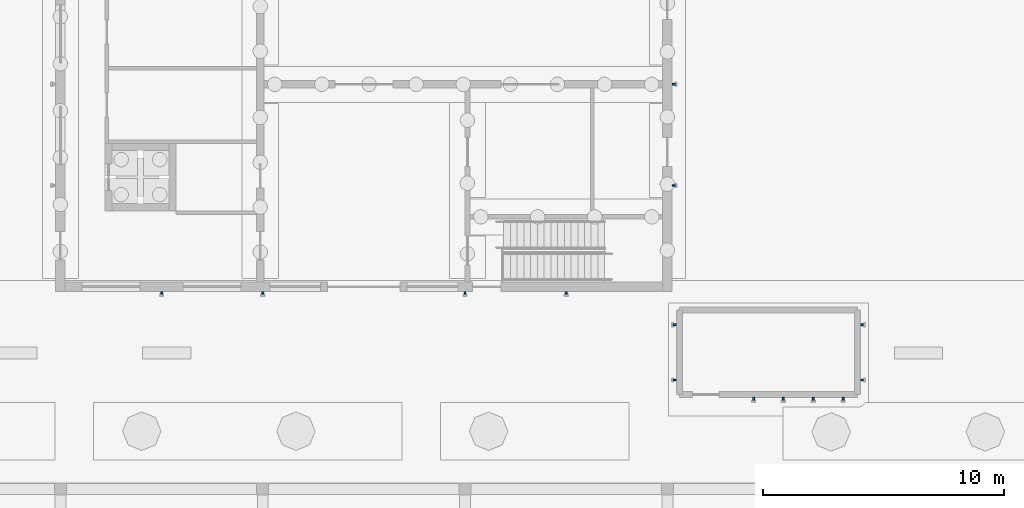
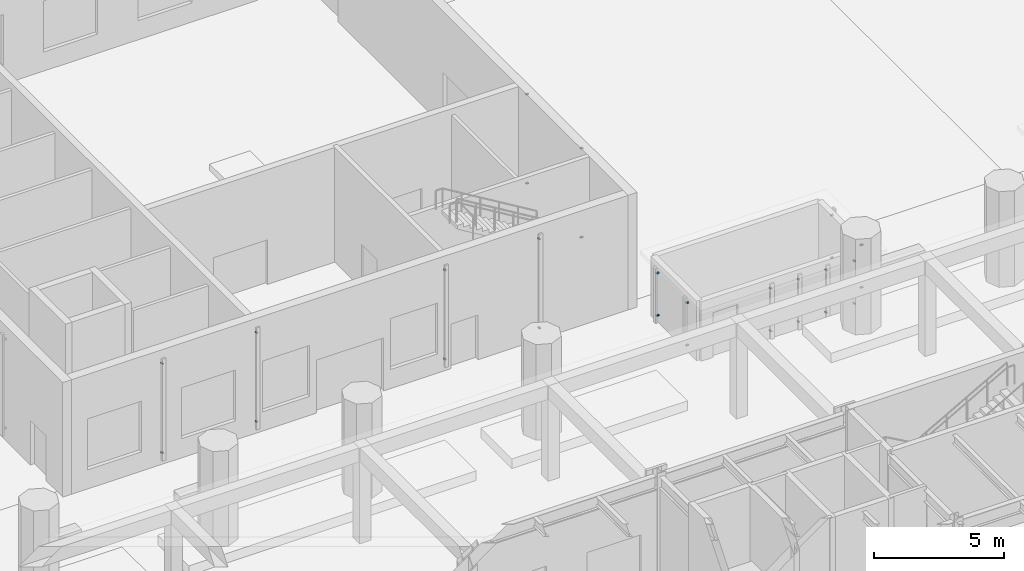
# One storey, part 92 of 127: 28 discrete accessories.
"""IFC4 building model written with IfcOpenShell, lengths in metres."""

from ifc_helpers import new_model, si_unit, direction, frame, origin, origin_2d, place, context, subcontext, project, spatial, rectangle, extrude, material, type_object, element, save


model = new_model("IFC4")

# Units and contexts
model_context = context("Model", 3, precision=1e-05, world=origin(), true_north=direction((0.0, 1.0)))
body_context = subcontext(model_context, "Body", "Model", "MODEL_VIEW")
ifc_project = project(units=[si_unit("LENGTHUNIT", "METRE"), si_unit("AREAUNIT", "SQUARE_METRE"), si_unit("VOLUMEUNIT", "CUBIC_METRE"), si_unit("PLANEANGLEUNIT", "RADIAN"), si_unit("MASSUNIT", "GRAM", prefix="KILO")], contexts=[model_context])

# Site, building, storey
site_placement = place(None, origin())
site = spatial("IfcSite", under=ifc_project, at=site_placement, CompositionType="ELEMENT")
building_placement = place(site_placement, origin())
building = spatial("IfcBuilding", under=site, at=building_placement, Name="Ljudholm Concert House", CompositionType="ELEMENT")
storey_placement = place(building_placement, origin())
storey = spatial("IfcBuildingStorey", under=building, at=storey_placement, Name="L00", CompositionType="ELEMENT", Elevation=0.0)

# Discrete accessories
ifc_material = material(Name="Stainless steel bracket", Category="steel")
discrete_accessory_type = type_object("IfcDiscreteAccessoryType", Name="BRACKET 120", PredefinedType="BRACKET", material=ifc_material)
for number, where, z_axis, x_axis, name in (
    (1, (91.577880859375, 142.139892578125, 0.369873046875), (0.0, 0.0, 1.0), (0.0, -1.0, 0.0), "Fin bracket"),
    (2, (91.577880859375, 142.139892578125, 2.369873046875), (0.0, 0.0, 1.0), (0.0, -1.0, 0.0), "Fin bracket"),
    (3, (92.81689453125, 142.139892578125, 0.369873046875), (0.0, 0.0, 1.0), (0.0, -1.0, 0.0), "Fin bracket"),
    (4, (92.81689453125, 142.139892578125, 2.369873046875), (0.0, 0.0, 1.0), (0.0, -1.0, 0.0), "Fin bracket"),
    (5, (94.055908203125, 142.139892578125, 0.369873046875), (0.0, 0.0, 1.0), (0.0, -1.0, 0.0), "Fin bracket"),
    (6, (94.055908203125, 142.139892578125, 2.369873046875), (0.0, 0.0, 1.0), (0.0, -1.0, 0.0), "Fin bracket"),
    (7, (95.294921875, 142.139892578125, 0.369873046875), (0.0, 0.0, 1.0), (0.0, -1.0, 0.0), "Fin bracket"),
    (8, (95.294921875, 142.139892578125, 2.369873046875), (0.0, 0.0, 1.0), (0.0, -1.0, 0.0), "Fin bracket"),
    (9, (88.31494140625, 142.925048828125, 0.369873046875), (0.0, 0.0, 1.0), (-1.0, 0.0, 0.0), "Fin bracket"),
    (10, (88.31494140625, 142.925048828125, 2.369873046875), (0.0, 0.0, 1.0), (-1.0, 0.0, 0.0), "Fin bracket"),
    (11, (88.31494140625, 145.22509765625, 0.369873046875), (0.0, 0.0, 1.0), (-1.0, 0.0, 0.0), "Fin bracket"),
    (12, (88.31494140625, 145.22509765625, 2.369873046875), (0.0, 0.0, 1.0), (-1.0, 0.0, 0.0), "Fin bracket"),
    (13, (96.080078125, 142.925048828125, 0.369873046875), (0.0, 0.0, 1.0), (1.0, 0.0, 0.0), "Fin bracket"),
    (14, (96.080078125, 142.925048828125, 2.369873046875), (0.0, 0.0, 1.0), (1.0, 0.0, 0.0), "Fin bracket"),
    (15, (96.080078125, 145.22509765625, 0.369873046875), (0.0, 0.0, 1.0), (1.0, 0.0, 0.0), "Fin bracket"),
    (16, (96.080078125, 145.22509765625, 2.369873046875), (0.0, 0.0, 1.0), (1.0, 0.0, 0.0), "Fin bracket"),
    (17, (67.0, 146.5400390625, 0.570068359375), (0.0, 0.0, 1.0), (0.0, -1.0, 0.0), "Fin bracket"),
    (18, (67.0, 146.5400390625, 4.77001953125), (0.0, 0.0, 1.0), (0.0, -1.0, 0.0), "Fin bracket"),
    (19, (71.199951171875, 146.5400390625, 0.570068359375), (0.0, 0.0, 1.0), (0.0, -1.0, 0.0), "Fin bracket"),
    (20, (71.199951171875, 146.5400390625, 4.77001953125), (0.0, 0.0, 1.0), (0.0, -1.0, 0.0), "Fin bracket"),
    (21, (79.60009765625, 146.5400390625, 0.570068359375), (0.0, 0.0, 1.0), (0.0, -1.0, 0.0), "Fin bracket"),
    (22, (79.60009765625, 146.5400390625, 4.77001953125), (0.0, 0.0, 1.0), (0.0, -1.0, 0.0), "Fin bracket"),
    (23, (83.800048828125, 146.5400390625, 0.570068359375), (0.0, 0.0, 1.0), (0.0, -1.0, 0.0), "Fin bracket"),
    (24, (83.800048828125, 146.5400390625, 4.77001953125), (0.0, 0.0, 1.0), (0.0, -1.0, 0.0), "Fin bracket"),
    (25, (88.260009765625, 151.0, 0.570068359375), (0.0, 0.0, 1.0), (1.0, 0.0, 0.0), "Fin bracket"),
    (26, (88.260009765625, 151.0, 4.77001953125), (0.0, 0.0, 1.0), (1.0, 0.0, 0.0), "Fin bracket"),
    (27, (88.260009765625, 155.199951171875, 0.570068359375), (0.0, 0.0, 1.0), (1.0, 0.0, 0.0), "Fin bracket"),
    (28, (88.260009765625, 155.199951171875, 4.77001953125), (0.0, 0.0, 1.0), (1.0, 0.0, 0.0), "Fin bracket"),
):
    element("IfcDiscreteAccessory", number, at=place(storey_placement, frame(where, z_axis=z_axis, x_axis=x_axis)), inside=storey, type_object=discrete_accessory_type, Name=name, PredefinedType="BRACKET", context=body_context, shape_type="SweptSolid", body=[
        extrude(rectangle(XDim=0.1201171875, YDim=0.080078125, at=origin_2d()), origin(), (0.0, 0.0, 1.0), 0.06005859375),
    ])

save(model, "model.ifc")
